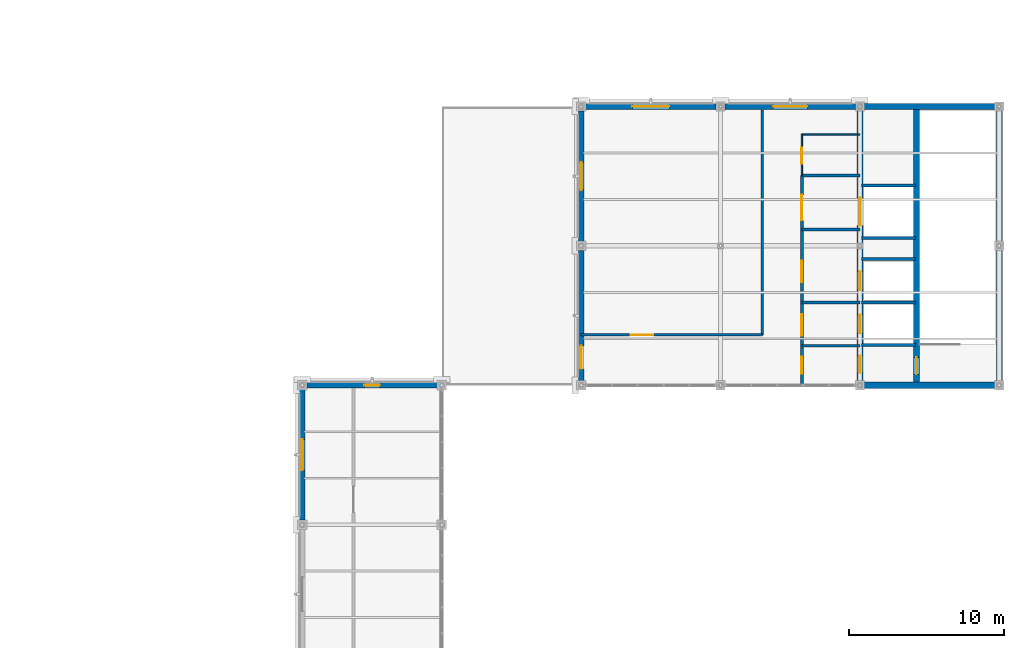
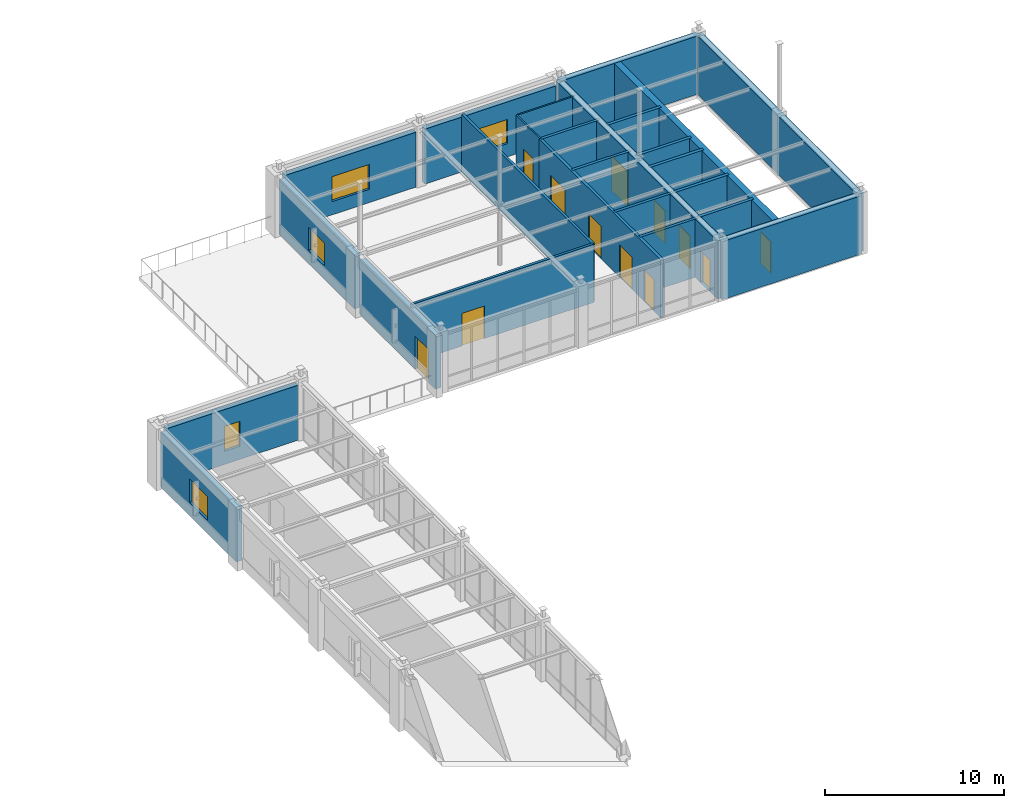
# One storey, part 85 of 97: 25 walls, 12 doors, 5 windows, 17 openings.
"""IFC4 building model written with IfcOpenShell, lengths in metres."""

import ifcopenshell
import ifcopenshell.guid

model = None  # the IFC model being written
_history = None  # IfcOwnerHistory: only IFC2X3 demands one
_inside = {}  # id of a spatial element -> (the spatial element, [elements in it])
_under = {}  # id of a project, library or spatial element -> (it, [spatial elements below it])
_declared = {}  # id of a project -> (the project, [libraries it declares])
_typed = {}  # id of a type object -> (the type object, [elements of that type])
_made_of = {}  # id of a material, layer set ... -> (it, [elements and type objects made of it])


def new_model(schema):
    """Start an empty IFC model of exactly this schema.

    Asked for "IFC4X3", IfcOpenShell would pick the latest addendum, in which some entities
    have other attributes; the version numbers below select the first issue.
    IFC2X3 requires an IfcOwnerHistory on every rooted entity: one is made here for all.
    """
    global model, _history
    if schema == "IFC4X3":
        model = ifcopenshell.file(schema_version=(4, 3, 0, 0))
    else:
        model = ifcopenshell.file(schema=schema)
    _inside.clear()
    _under.clear()
    _declared.clear()
    _typed.clear()
    _made_of.clear()
    _history = None
    if model.schema == "IFC2X3":
        org = make("IfcOrganization", Name="unknown")
        user = make(
            "IfcPersonAndOrganization",
            ThePerson=make("IfcPerson", FamilyName="unknown"),
            TheOrganization=org,
        )
        app = make(
            "IfcApplication",
            ApplicationDeveloper=org,
            Version="unknown",
            ApplicationFullName="unknown",
            ApplicationIdentifier="unknown",
        )
        _history = make(
            "IfcOwnerHistory",
            OwningUser=user,
            OwningApplication=app,
            ChangeAction="ADDED",
            CreationDate=0,
        )
    return model


def make(cls, **values):
    """One entity of the class cls with the attributes given. An attribute that is None is left unset."""
    return model.create_entity(
        cls, **{name: value for name, value in values.items() if value is not None}
    )


def rooted(cls, **values):
    """An entity with a GlobalId (a new one), such as an element, a storey or a relation."""
    return make(cls, GlobalId=ifcopenshell.guid.new(), OwnerHistory=_history, **values)


def si_unit(unit_type, name, prefix=None):
    """IfcSIUnit, for example si_unit("LENGTHUNIT", "METRE", prefix="MILLI")."""
    return make("IfcSIUnit", UnitType=unit_type, Prefix=prefix, Name=name)


def assignment(units):
    """IfcUnitAssignment: the units of a project."""
    return None if units is None else make("IfcUnitAssignment", Units=units)


def point(xyz):
    """IfcCartesianPoint."""
    return None if xyz is None else make("IfcCartesianPoint", Coordinates=xyz)


def direction(xyz):
    """IfcDirection."""
    return None if xyz is None else make("IfcDirection", DirectionRatios=xyz)


def frame(location, z_axis=None, x_axis=None):
    """IfcAxis2Placement3D, a coordinate frame: its origin and axes. An axis left out is left unset."""
    return make(
        "IfcAxis2Placement3D",
        Location=point(location),
        Axis=direction(z_axis),
        RefDirection=direction(x_axis),
    )


def frame_2d(location, x_axis=None):
    """IfcAxis2Placement2D, a coordinate frame in the plane: its origin and x axis."""
    return make(
        "IfcAxis2Placement2D", Location=point(location), RefDirection=direction(x_axis)
    )


def origin():
    """The frame at (0, 0, 0) with its axes left unset."""
    return frame((0.0, 0.0, 0.0))


def place(relative_to, where):
    """IfcLocalPlacement: puts the frame where relative to a parent placement (None: the world)."""
    return make(
        "IfcLocalPlacement", PlacementRelTo=relative_to, RelativePlacement=where
    )


def context(
    kind, dimensions, precision=None, world=None, true_north=None, identifier=None
):
    """IfcGeometricRepresentationContext, for example the 3D "Model" context."""
    return make(
        "IfcGeometricRepresentationContext",
        ContextIdentifier=identifier,
        ContextType=kind,
        CoordinateSpaceDimension=dimensions,
        Precision=precision,
        WorldCoordinateSystem=world,
        TrueNorth=true_north,
    )


def subcontext(parent, identifier, kind, view, scale=None):
    """IfcGeometricRepresentationSubContext, for example "Body" below "Model"."""
    return make(
        "IfcGeometricRepresentationSubContext",
        ContextIdentifier=identifier,
        ContextType=kind,
        ParentContext=parent,
        TargetScale=scale,
        TargetView=view,
    )


def project(units=None, contexts=None):
    """IfcProject with its units and contexts."""
    return rooted(
        "IfcProject",
        Name="project",
        RepresentationContexts=contexts,
        UnitsInContext=assignment(units),
    )


def spatial(cls, under=None, at=None, **own):
    """A site, building, storey or space (cls), placed at a placement, below another one or the project."""
    s = rooted(cls, ObjectPlacement=at, **own)
    if under is not None:
        _under.setdefault(under.id(), (under, []))[1].append(s)
    return s


def profile(cls, at=None, kind="AREA", **sizes):
    """A parametric profile (cls). Its sizes go by their IFC names, for example OverallWidth=200.0."""
    return make(cls, ProfileType=kind, Position=at, **sizes)


def rectangle(**sizes):
    """IfcRectangleProfileDef."""
    return profile("IfcRectangleProfileDef", **sizes)


def extrude(swept, where, along, depth):
    """IfcExtrudedAreaSolid: the profile swept, set in the frame where, extruded along a direction by depth."""
    return make(
        "IfcExtrudedAreaSolid",
        SweptArea=swept,
        Position=where,
        ExtrudedDirection=direction(along),
        Depth=depth,
    )


def shape(context_of_items, identifier, shape_type, items):
    """IfcShapeRepresentation: the items that make up one representation, for example the "Body"."""
    return make(
        "IfcShapeRepresentation",
        ContextOfItems=context_of_items,
        RepresentationIdentifier=identifier,
        RepresentationType=shape_type,
        Items=items,
    )


def material(Name=None, Category=None):
    """IfcMaterial."""
    return make("IfcMaterial", Name=Name, Category=Category)


def layer(
    of_material, thickness, ventilated=None, Name=None, Category=None, Priority=None
):
    """IfcMaterialLayer: one layer of a wall or slab, of a material (None: an air gap)."""
    return make(
        "IfcMaterialLayer",
        Material=of_material,
        LayerThickness=thickness,
        IsVentilated=ventilated,
        Name=Name,
        Category=Category,
        Priority=Priority,
    )


def layer_set(layers, Name=None):
    """IfcMaterialLayerSet."""
    return make("IfcMaterialLayerSet", MaterialLayers=layers, LayerSetName=Name)


def made_of(thing, what):
    """Note that an element or type object is made of a material, layer set ...; save() writes the relation."""
    if what is not None:
        _made_of.setdefault(what.id(), (what, []))[1].append(thing)
    return thing


def type_object(cls, material=None, **own):
    """A type object (cls), such as IfcWallType, which elements share."""
    return made_of(rooted(cls, **own), material)


def element(
    cls,
    number,
    at=None,
    inside=None,
    cuts=None,
    type_object=None,
    material=None,
    context=None,
    identifier="Body",
    shape_type=None,
    held_by="IfcProductDefinitionShape",
    body=None,
    shapes=None,
    **own,
):
    """One element of the class cls, such as IfcWall. Its Tag is "e" and its number.

    at: its placement. inside: the storey or other place that contains it. cuts: it is an
    opening in that element (IfcRelVoidsElement). A single representation is given by context,
    identifier, shape_type and body (its items); several are given by shapes. held_by: the class
    of the entity that holds the representations. save() writes the other relations.
    """
    e = rooted(cls, Tag="e%d" % number, ObjectPlacement=at, **own)
    if body is not None:
        shapes = [shape(context, identifier, shape_type, body)]
    if shapes is not None:
        e.Representation = make(held_by, Representations=shapes)
    if inside is not None:
        _inside.setdefault(inside.id(), (inside, []))[1].append(e)
    if cuts is not None:
        rooted(
            "IfcRelVoidsElement", RelatingBuildingElement=cuts, RelatedOpeningElement=e
        )
    if type_object is not None:
        _typed.setdefault(type_object.id(), (type_object, []))[1].append(e)
    return made_of(e, material)


def fill(opening, filler):
    """IfcRelFillsElement: the door or window that sits in an opening."""
    return rooted(
        "IfcRelFillsElement",
        RelatingOpeningElement=opening,
        RelatedBuildingElement=filler,
    )


def aggregate(whole, parts):
    """IfcRelAggregates: a whole, such as a stair, and the parts it consists of."""
    return rooted("IfcRelAggregates", RelatingObject=whole, RelatedObjects=parts)


def save(model, path):
    """Write the relations noted so far, then the file.

    IfcRelAggregates (storeys below a building ...), IfcRelContainedInSpatialStructure (elements
    in a storey), IfcRelDefinesByType, IfcRelAssociatesMaterial and IfcRelDeclares: one each for
    every whole, place, type object, material and project.
    """
    for whole, parts in _under.values():
        aggregate(whole, parts)
    for where, things in _inside.values():
        rooted(
            "IfcRelContainedInSpatialStructure",
            RelatedElements=things,
            RelatingStructure=where,
        )
    for kind, things in _typed.values():
        rooted("IfcRelDefinesByType", RelatedObjects=things, RelatingType=kind)
    for what, things in _made_of.values():
        rooted("IfcRelAssociatesMaterial", RelatedObjects=things, RelatingMaterial=what)
    for by, libraries in _declared.values():
        rooted("IfcRelDeclares", RelatingContext=by, RelatedDefinitions=libraries)
    model.write(path)


model = new_model("IFC4")

# Units and contexts
model_context = context("Model", 3, precision=1e-05, world=origin(), true_north=direction((0.0, 1.0)))
body_context = subcontext(model_context, "Body", "Model", "MODEL_VIEW")
ifc_project = project(units=[si_unit("LENGTHUNIT", "METRE"), si_unit("AREAUNIT", "SQUARE_METRE"), si_unit("VOLUMEUNIT", "CUBIC_METRE"), si_unit("PLANEANGLEUNIT", "RADIAN"), si_unit("MASSUNIT", "GRAM", prefix="KILO")], contexts=[model_context])

# Site, building, storey
site_placement = place(None, origin())
site = spatial("IfcSite", under=ifc_project, at=site_placement, CompositionType="ELEMENT")
building_placement = place(site_placement, origin())
building = spatial("IfcBuilding", under=site, at=building_placement, Name="Lykobir Media Centre", CompositionType="ELEMENT")
storey_placement = place(building_placement, frame((0.0, 0.0, 23.39990234375)))
storey = spatial("IfcBuildingStorey", under=building, at=storey_placement, Name="L05", CompositionType="ELEMENT", Elevation=23.39990234375)

# Wall, opening, window
ifc_material_1 = material(Name="Architectural Ochre Brick", Category="masonry")
ifc_layer_1 = layer(ifc_material_1, 0.360107421875, Name="Architectural Ochre Brick")
ifc_layer_set_1 = layer_set([ifc_layer_1], Name="Architectural Ochre Brick")
wall_type_1 = type_object("IfcWallType", Name="EW-BRK-360", PredefinedType="STANDARD", material=ifc_layer_set_1)
wall_1_placement = place(storey_placement, frame((98.715087890625, 72.0, 0.0), z_axis=(0.0, 0.0, 1.0), x_axis=(-1.0, 0.0, 0.0)))
wall_1 = element("IfcWall", 1, at=wall_1_placement, inside=storey, type_object=wall_type_1, Name="Exterior wall WALL-L05-0312", PredefinedType="STANDARD", context=body_context, shape_type="SweptSolid", body=[
    extrude(rectangle(XDim=8.43017578125, YDim=0.360107421875, at=frame_2d((4.215087890625, 0.0))), origin(), (0.0, 0.0, 1.0), 3.735107421875),
])
opening_1_placement = place(wall_1_placement, frame((3.715087890625, 0.0, 0.89990234375)))
opening_1 = element("IfcOpeningElement", 2, at=opening_1_placement, cuts=wall_1, Name="Opening WN-1000x1700", PredefinedType="OPENING", context=body_context, shape_type="SweptSolid", body=[
    extrude(rectangle(XDim=1.0, YDim=1.699951171875, at=frame_2d((0.5, 0.85009765625))), frame((0.0, 0.18994140625, 0.0), z_axis=(0.0, -1.0, 0.0), x_axis=(1.0, 0.0, 0.0)), (0.0, 0.0, 1.0), 0.380126953125),
])
ifc_material_2 = material(Name="Low-E Laminated Triple Glazing", Category="glass")
window_type_1 = type_object("IfcWindowType", Name="WN-1000x1700", PartitioningType="SINGLE_PANEL", PredefinedType="WINDOW", material=ifc_material_2)
window_1_placement = place(opening_1_placement, origin())
window_1 = element("IfcWindow", 3, at=window_1_placement, inside=storey, type_object=window_type_1, Name="Window WIN-L05-0125", OverallHeight=1.699951171875, OverallWidth=1.0, PartitioningType="SINGLE_PANEL", PredefinedType="WINDOW", context=body_context, shape_type="SweptSolid", body=[
    extrude(rectangle(XDim=1.0, YDim=1.699951171875, at=frame_2d((0.5, 0.85009765625))), frame((0.0, 0.030029296875, 0.0), z_axis=(0.0, -1.0, 0.0), x_axis=(1.0, 0.0, 0.0)), (0.0, 0.0, 1.0), 0.06005859375),
])
fill(opening_1, window_1)

wall_2_placement = place(storey_placement, frame((90.0, 71.715087890625, 0.0), z_axis=(0.0, 0.0, 1.0), x_axis=(0.0, -1.0, 0.0)))
wall_2 = element("IfcWall", 4, at=wall_2_placement, inside=storey, type_object=wall_type_1, Name="Exterior wall WALL-L05-0318", PredefinedType="STANDARD", context=body_context, shape_type="SweptSolid", body=[
    extrude(rectangle(XDim=8.43017578125, YDim=0.360107421875, at=frame_2d((4.215087890625, 0.0))), origin(), (0.0, 0.0, 1.0), 3.735107421875),
])
opening_2_placement = place(wall_2_placement, frame((3.215087890625, 0.0, 0.89990234375)))
opening_2 = element("IfcOpeningElement", 5, at=opening_2_placement, cuts=wall_2, Name="Opening WN-2000x1600", PredefinedType="OPENING", context=body_context, shape_type="SweptSolid", body=[
    extrude(rectangle(XDim=2.0, YDim=1.60009765625, at=frame_2d((1.0, 0.800048828125))), frame((0.0, 0.18994140625, 0.0), z_axis=(0.0, -1.0, 0.0), x_axis=(1.0, 0.0, 0.0)), (0.0, 0.0, 1.0), 0.380126953125),
])
window_type_2 = type_object("IfcWindowType", Name="WN-2000x1600", PartitioningType="SINGLE_PANEL", PredefinedType="WINDOW", material=ifc_material_2)
window_2_placement = place(opening_2_placement, origin())
window_2 = element("IfcWindow", 6, at=window_2_placement, inside=storey, type_object=window_type_2, Name="Window WIN-L05-0131", OverallHeight=1.60009765625, OverallWidth=2.0, PartitioningType="SINGLE_PANEL", PredefinedType="WINDOW", context=body_context, shape_type="SweptSolid", body=[
    extrude(rectangle(XDim=2.0, YDim=1.60009765625, at=frame_2d((1.0, 0.800048828125))), frame((0.0, 0.030029296875, 0.0), z_axis=(0.0, -1.0, 0.0), x_axis=(1.0, 0.0, 0.0)), (0.0, 0.0, 1.0), 0.06005859375),
])
fill(opening_2, window_2)

wall_3_placement = place(storey_placement, frame((116.715087890625, 90.0, 0.0), z_axis=(0.0, 0.0, 1.0), x_axis=(-1.0, 0.0, 0.0)))
wall_3 = element("IfcWall", 7, at=wall_3_placement, inside=storey, type_object=wall_type_1, Name="Exterior wall WALL-L05-0346", PredefinedType="STANDARD", context=body_context, shape_type="SweptSolid", body=[
    extrude(rectangle(XDim=8.43017578125, YDim=0.360107421875, at=frame_2d((4.215087890625, 0.0))), origin(), (0.0, 0.0, 1.0), 3.735107421875),
])
opening_3_placement = place(wall_3_placement, frame((3.014892578125, 0.0, 0.89990234375)))
opening_3 = element("IfcOpeningElement", 8, at=opening_3_placement, cuts=wall_3, Name="Opening WN-2400x1700", PredefinedType="OPENING", context=body_context, shape_type="SweptSolid", body=[
    extrude(rectangle(XDim=2.39990234375, YDim=1.699951171875, at=frame_2d((1.199951171875, 0.85009765625))), frame((0.0, 0.18994140625, 0.0), z_axis=(0.0, -1.0, 0.0), x_axis=(1.0, 0.0, 0.0)), (0.0, 0.0, 1.0), 0.380126953125),
])
window_type_3 = type_object("IfcWindowType", Name="WN-2400x1700", PartitioningType="SINGLE_PANEL", PredefinedType="WINDOW", material=ifc_material_2)
window_3_placement = place(opening_3_placement, origin())
window_3 = element("IfcWindow", 9, at=window_3_placement, inside=storey, type_object=window_type_3, Name="Window WIN-L05-0153", OverallHeight=1.699951171875, OverallWidth=2.39990234375, PartitioningType="SINGLE_PANEL", PredefinedType="WINDOW", context=body_context, shape_type="SweptSolid", body=[
    extrude(rectangle(XDim=2.39990234375, YDim=1.699951171875, at=frame_2d((1.199951171875, 0.85009765625))), frame((0.0, 0.030029296875, 0.0), z_axis=(0.0, -1.0, 0.0), x_axis=(1.0, 0.0, 0.0)), (0.0, 0.0, 1.0), 0.06005859375),
])
fill(opening_3, window_3)

wall_4_placement = place(storey_placement, frame((125.715087890625, 90.0, 0.0), z_axis=(0.0, 0.0, 1.0), x_axis=(-1.0, 0.0, 0.0)))
wall_4 = element("IfcWall", 10, at=wall_4_placement, inside=storey, type_object=wall_type_1, Name="Exterior wall WALL-L05-0347", PredefinedType="STANDARD", context=body_context, shape_type="SweptSolid", body=[
    extrude(rectangle(XDim=8.43017578125, YDim=0.360107421875, at=frame_2d((4.215087890625, 0.0))), origin(), (0.0, 0.0, 1.0), 3.735107421875),
])
opening_4_placement = place(wall_4_placement, frame((3.114990234375, 0.0, 0.89990234375)))
opening_4 = element("IfcOpeningElement", 11, at=opening_4_placement, cuts=wall_4, Name="Opening WN-2200x1650", PredefinedType="OPENING", context=body_context, shape_type="SweptSolid", body=[
    extrude(rectangle(XDim=2.199951171875, YDim=1.64990234375, at=frame_2d((1.10009765625, 0.824951171875))), frame((0.0, 0.18994140625, 0.0), z_axis=(0.0, -1.0, 0.0), x_axis=(1.0, 0.0, 0.0)), (0.0, 0.0, 1.0), 0.380126953125),
])
window_type_4 = type_object("IfcWindowType", Name="WN-2200x1650", PartitioningType="SINGLE_PANEL", PredefinedType="WINDOW", material=ifc_material_2)
window_4_placement = place(opening_4_placement, origin())
window_4 = element("IfcWindow", 12, at=window_4_placement, inside=storey, type_object=window_type_4, Name="Window WIN-L05-0154", OverallHeight=1.64990234375, OverallWidth=2.199951171875, PartitioningType="SINGLE_PANEL", PredefinedType="WINDOW", context=body_context, shape_type="SweptSolid", body=[
    extrude(rectangle(XDim=2.199951171875, YDim=1.64990234375, at=frame_2d((1.10009765625, 0.824951171875))), frame((0.0, 0.030029296875, 0.0), z_axis=(0.0, -1.0, 0.0), x_axis=(1.0, 0.0, 0.0)), (0.0, 0.0, 1.0), 0.06005859375),
])
fill(opening_4, window_4)

# Wall, opening, door
wall_5_placement = place(storey_placement, frame((108.0, 80.715087890625, 0.0), z_axis=(0.0, 0.0, 1.0), x_axis=(0.0, -1.0, 0.0)))
wall_5 = element("IfcWall", 13, at=wall_5_placement, inside=storey, type_object=wall_type_1, Name="Exterior wall WALL-L05-0348", PredefinedType="STANDARD", context=body_context, shape_type="SweptSolid", body=[
    extrude(rectangle(XDim=8.43017578125, YDim=0.360107421875, at=frame_2d((4.215087890625, 0.0))), origin(), (0.0, 0.0, 1.0), 3.695068359375),
])
opening_5_placement = place(wall_5_placement, frame((6.1650390625, 0.0, 0.0)))
opening_5 = element("IfcOpeningElement", 14, at=opening_5_placement, cuts=wall_5, Name="Opening D-L05-TER3", PredefinedType="OPENING", context=body_context, shape_type="SweptSolid", body=[
    extrude(rectangle(XDim=1.5, YDim=2.25, at=frame_2d((0.75, 1.125))), frame((0.0, 0.18994140625, 0.0), z_axis=(0.0, -1.0, 0.0), x_axis=(1.0, 0.0, 0.0)), (0.0, 0.0, 1.0), 0.380126953125),
])
ifc_material_3 = material(Name="Anodized Aluminium AW-6060", Category="aluminium")
door_type_1 = type_object("IfcDoorType", Name="ED-1500x2250", OperationType="NOTDEFINED", PredefinedType="DOOR", material=ifc_material_3)
door_1_placement = place(opening_5_placement, frame((1.5, 0.0, 0.0), z_axis=(0.0, 0.0, 1.0), x_axis=(-1.0, 0.0, 0.0)))
door_1 = element("IfcDoor", 15, at=door_1_placement, inside=storey, type_object=door_type_1, Name="East corridor to cloister roof garden door", OperationType="DOUBLE_DOOR_SINGLE_SWING", OverallHeight=2.25, OverallWidth=1.5, PredefinedType="DOOR", context=body_context, shape_type="SweptSolid", body=[
    extrude(rectangle(XDim=1.5, YDim=2.25, at=frame_2d((0.75, 1.125))), frame((0.0, 0.02490234375, 0.0), z_axis=(0.0, -1.0, 0.0), x_axis=(1.0, 0.0, 0.0)), (0.0, 0.0, 1.0), 0.050048828125),
])
fill(opening_5, door_1)

# Wall, opening, window
wall_6_placement = place(storey_placement, frame((108.0, 89.715087890625, 0.0), z_axis=(0.0, 0.0, 1.0), x_axis=(0.0, -1.0, 0.0)))
wall_6 = element("IfcWall", 16, at=wall_6_placement, inside=storey, type_object=wall_type_1, Name="Exterior wall WALL-L05-0349", PredefinedType="STANDARD", context=body_context, shape_type="SweptSolid", body=[
    extrude(rectangle(XDim=8.43017578125, YDim=0.360107421875, at=frame_2d((4.215087890625, 0.0))), origin(), (0.0, 0.0, 1.0), 3.695068359375),
])
opening_6_placement = place(wall_6_placement, frame((3.31494140625, 0.0, 0.89990234375)))
opening_6 = element("IfcOpeningElement", 17, at=opening_6_placement, cuts=wall_6, Name="Opening WN-1800x1550", PredefinedType="OPENING", context=body_context, shape_type="SweptSolid", body=[
    extrude(rectangle(XDim=1.800048828125, YDim=1.550048828125, at=frame_2d((0.89990234375, 0.77490234375))), frame((0.0, 0.18994140625, 0.0), z_axis=(0.0, -1.0, 0.0), x_axis=(1.0, 0.0, 0.0)), (0.0, 0.0, 1.0), 0.380126953125),
])
window_type_5 = type_object("IfcWindowType", Name="WN-1800x1550", PartitioningType="SINGLE_PANEL", PredefinedType="WINDOW", material=ifc_material_2)
window_5_placement = place(opening_6_placement, origin())
window_5 = element("IfcWindow", 18, at=window_5_placement, inside=storey, type_object=window_type_5, Name="Window WIN-L05-0155", OverallHeight=1.550048828125, OverallWidth=1.800048828125, PartitioningType="SINGLE_PANEL", PredefinedType="WINDOW", context=body_context, shape_type="SweptSolid", body=[
    extrude(rectangle(XDim=1.800048828125, YDim=1.550048828125, at=frame_2d((0.89990234375, 0.77490234375))), frame((0.0, 0.030029296875, 0.0), z_axis=(0.0, -1.0, 0.0), x_axis=(1.0, 0.0, 0.0)), (0.0, 0.0, 1.0), 0.06005859375),
])
fill(opening_6, window_5)

# Wall, opening, door
ifc_material_4 = material(Name="Acoustic Gypsum Board", Category="gypsum")
ifc_layer_2 = layer(ifc_material_4, 0.159912109375, Name="Acoustic Gypsum Board")
ifc_layer_set_2 = layer_set([ifc_layer_2], Name="Acoustic Gypsum Board")
wall_type_2 = type_object("IfcWallType", Name="IW-COR-160", PredefinedType="PARTITIONING", material=ifc_layer_set_2)
wall_7_placement = place(storey_placement, frame((108.0, 75.25, 0.0), z_axis=(0.0, 0.0, 1.0), x_axis=(1.0, 0.0, 0.0)))
wall_7 = element("IfcWall", 19, at=wall_7_placement, inside=storey, type_object=wall_type_2, Name="Wall IWALL-L05-0770", PredefinedType="PARTITIONING", context=body_context, shape_type="SweptSolid", body=[
    extrude(rectangle(XDim=11.699951171875, YDim=0.159912109375, at=frame_2d((5.85009765625, 0.0))), origin(), (0.0, 0.0, 1.0), 3.960205078125),
])
opening_7_placement = place(wall_7_placement, frame((3.199951171875, 0.0, 0.0)))
opening_7 = element("IfcOpeningElement", 20, at=opening_7_placement, cuts=wall_7, Name="Opening D-L05-ENB1", PredefinedType="OPENING", context=body_context, shape_type="SweptSolid", body=[
    extrude(rectangle(XDim=1.449951171875, YDim=2.219970703125, at=frame_2d((0.72509765625, 1.10986328125))), frame((0.0, 0.08984375, 0.0), z_axis=(0.0, -1.0, 0.0), x_axis=(1.0, 0.0, 0.0)), (0.0, 0.0, 1.0), 0.179931640625),
])
ifc_material_5 = material(Name="Acoustic Timber Panelling", Category="wood")
door_type_2 = type_object("IfcDoorType", Name="FD-1450x2220", OperationType="NOTDEFINED", PredefinedType="DOOR", material=ifc_material_5)
door_2_placement = place(opening_7_placement, origin())
door_2 = element("IfcDoor", 21, at=door_2_placement, inside=storey, type_object=door_type_2, Name="Door D-L05-ENB1", OperationType="DOUBLE_DOOR_SINGLE_SWING", OverallHeight=2.219970703125, OverallWidth=1.449951171875, PredefinedType="DOOR", context=body_context, shape_type="SweptSolid", body=[
    extrude(rectangle(XDim=1.449951171875, YDim=2.219970703125, at=frame_2d((0.72509765625, 1.10986328125))), frame((0.0, 0.02490234375, 0.0), z_axis=(0.0, -1.0, 0.0), x_axis=(1.0, 0.0, 0.0)), (0.0, 0.0, 1.0), 0.050048828125),
])
fill(opening_7, door_2)

# Wall
wall_8_placement = place(storey_placement, frame((119.699951171875, 75.25, 0.0), z_axis=(0.0, 0.0, 1.0), x_axis=(0.0, 1.0, 0.0)))
element("IfcWall", 22, at=wall_8_placement, inside=storey, type_object=wall_type_2, Name="Wall IWALL-L05-0771", PredefinedType="PARTITIONING", context=body_context, shape_type="SweptSolid", body=[
    extrude(rectangle(XDim=14.530029296875, YDim=0.159912109375, at=frame_2d((7.26513671875, 0.0))), origin(), (0.0, 0.0, 1.0), 3.960205078125),
])

# Wall, openings, doors
ifc_layer_3 = layer(ifc_material_4, 0.179931640625, Name="Acoustic Gypsum Board")
ifc_layer_set_3 = layer_set([ifc_layer_3], Name="Acoustic Gypsum Board")
wall_type_3 = type_object("IfcWallType", Name="IW-FFLOB-180", PredefinedType="PARTITIONING", material=ifc_layer_set_3)
wall_9_placement = place(storey_placement, frame((122.25, 72.0, 0.0), z_axis=(0.0, 0.0, 1.0), x_axis=(0.0, 1.0, 0.0)))
wall_9 = element("IfcWall", 23, at=wall_9_placement, inside=storey, type_object=wall_type_3, Name="Wall IWALL-L05-0567", PredefinedType="PARTITIONING", context=body_context, shape_type="SweptSolid", body=[
    extrude(rectangle(XDim=13.550048828125, YDim=0.179931640625, at=frame_2d((6.77490234375, 0.0))), origin(), (0.0, 0.0, 1.0), 3.960205078125),
])
opening_8_placement = place(wall_9_placement, frame((0.75, 0.0, 0.0)))
opening_8 = element("IfcOpeningElement", 24, at=opening_8_placement, cuts=wall_9, Name="Opening D-L05-C4LV", PredefinedType="OPENING", context=body_context, shape_type="SweptSolid", body=[
    extrude(rectangle(XDim=1.10009765625, YDim=2.159912109375, at=frame_2d((0.550048828125, 1.080078125))), frame((0.0, 0.099853515625, 0.0), z_axis=(0.0, -1.0, 0.0), x_axis=(1.0, 0.0, 0.0)), (0.0, 0.0, 1.0), 0.199951171875),
])
opening_9_placement = place(wall_9_placement, frame((3.199951171875, 0.0, 0.0)))
opening_9 = element("IfcOpeningElement", 25, at=opening_9_placement, cuts=wall_9, Name="Opening D-L05-C4PL", PredefinedType="OPENING", context=body_context, shape_type="SweptSolid", body=[
    extrude(rectangle(XDim=1.39990234375, YDim=2.199951171875, at=frame_2d((0.699951171875, 1.10009765625))), frame((0.0, 0.099853515625, 0.0), z_axis=(0.0, -1.0, 0.0), x_axis=(1.0, 0.0, 0.0)), (0.0, 0.0, 1.0), 0.199951171875),
])
opening_10_placement = place(wall_9_placement, frame((6.64990234375, 0.0, 0.0)))
opening_10 = element("IfcOpeningElement", 26, at=opening_10_placement, cuts=wall_9, Name="Opening D-L05-C4FF", PredefinedType="OPENING", context=body_context, shape_type="SweptSolid", body=[
    extrude(rectangle(XDim=1.39990234375, YDim=2.199951171875, at=frame_2d((0.699951171875, 1.10009765625))), frame((0.0, 0.099853515625, 0.0), z_axis=(0.0, -1.0, 0.0), x_axis=(1.0, 0.0, 0.0)), (0.0, 0.0, 1.0), 0.199951171875),
])
opening_11_placement = place(wall_9_placement, frame((10.64990234375, 0.0, 0.0)))
opening_11 = element("IfcOpeningElement", 27, at=opening_11_placement, cuts=wall_9, Name="Opening D-L05-C4GL", PredefinedType="OPENING", context=body_context, shape_type="SweptSolid", body=[
    extrude(rectangle(XDim=1.64990234375, YDim=2.25, at=frame_2d((0.824951171875, 1.125))), frame((0.0, 0.099853515625, 0.0), z_axis=(0.0, -1.0, 0.0), x_axis=(1.0, 0.0, 0.0)), (0.0, 0.0, 1.0), 0.199951171875),
])
door_type_3 = type_object("IfcDoorType", Name="FD-1100x2160", OperationType="NOTDEFINED", PredefinedType="DOOR", material=ifc_material_5)
door_3_placement = place(opening_8_placement, origin())
door_3 = element("IfcDoor", 28, at=door_3_placement, inside=storey, type_object=door_type_3, Name="Door D-L05-C4LV", OperationType="SINGLE_SWING_LEFT", OverallHeight=2.159912109375, OverallWidth=1.10009765625, PredefinedType="DOOR", context=body_context, shape_type="SweptSolid", body=[
    extrude(rectangle(XDim=1.10009765625, YDim=2.159912109375, at=frame_2d((0.550048828125, 1.080078125))), frame((0.0, 0.02490234375, 0.0), z_axis=(0.0, -1.0, 0.0), x_axis=(1.0, 0.0, 0.0)), (0.0, 0.0, 1.0), 0.050048828125),
])
fill(opening_8, door_3)
door_type_4 = type_object("IfcDoorType", Name="FD-1400x2200", OperationType="NOTDEFINED", PredefinedType="DOOR", material=ifc_material_5)
door_4_placement = place(opening_9_placement, origin())
door_4 = element("IfcDoor", 29, at=door_4_placement, inside=storey, type_object=door_type_4, Name="Door D-L05-C4PL", OperationType="DOUBLE_DOOR_SINGLE_SWING", OverallHeight=2.199951171875, OverallWidth=1.39990234375, PredefinedType="DOOR", context=body_context, shape_type="SweptSolid", body=[
    extrude(rectangle(XDim=1.39990234375, YDim=2.199951171875, at=frame_2d((0.699951171875, 1.10009765625))), frame((0.0, 0.02490234375, 0.0), z_axis=(0.0, -1.0, 0.0), x_axis=(1.0, 0.0, 0.0)), (0.0, 0.0, 1.0), 0.050048828125),
])
fill(opening_9, door_4)
door_5_placement = place(opening_10_placement, origin())
door_5 = element("IfcDoor", 30, at=door_5_placement, inside=storey, type_object=door_type_4, Name="Door D-L05-C4FF", OperationType="DOUBLE_DOOR_SINGLE_SWING", OverallHeight=2.199951171875, OverallWidth=1.39990234375, PredefinedType="DOOR", context=body_context, shape_type="SweptSolid", body=[
    extrude(rectangle(XDim=1.39990234375, YDim=2.199951171875, at=frame_2d((0.699951171875, 1.10009765625))), frame((0.0, 0.02490234375, 0.0), z_axis=(0.0, -1.0, 0.0), x_axis=(1.0, 0.0, 0.0)), (0.0, 0.0, 1.0), 0.050048828125),
])
fill(opening_10, door_5)
door_type_5 = type_object("IfcDoorType", Name="FD-1650x2250", OperationType="NOTDEFINED", PredefinedType="DOOR", material=ifc_material_5)
door_6_placement = place(opening_11_placement, origin())
door_6 = element("IfcDoor", 31, at=door_6_placement, inside=storey, type_object=door_type_5, Name="Door D-L05-C4GL", OperationType="DOUBLE_DOOR_SINGLE_SWING", OverallHeight=2.25, OverallWidth=1.64990234375, PredefinedType="DOOR", context=body_context, shape_type="SweptSolid", body=[
    extrude(rectangle(XDim=1.64990234375, YDim=2.25, at=frame_2d((0.824951171875, 1.125))), frame((0.0, 0.02490234375, 0.0), z_axis=(0.0, -1.0, 0.0), x_axis=(1.0, 0.0, 0.0)), (0.0, 0.0, 1.0), 0.050048828125),
])
fill(opening_11, door_6)

# Walls
for number, where, z_axis, x_axis, name in (
    (32, (122.25, 74.550048828125, 0.0), (0.0, 0.0, 1.0), (1.0, 0.0, 0.0), "Wall IWALL-L05-0568"),
    (33, (122.25, 77.35009765625, 0.0), (0.0, 0.0, 1.0), (1.0, 0.0, 0.0), "Wall IWALL-L05-0569"),
    (34, (122.25, 82.050048828125, 0.0), (0.0, 0.0, 1.0), (1.0, 0.0, 0.0), "Wall IWALL-L05-0570"),
    (35, (122.25, 85.550048828125, 0.0), (0.0, 0.0, 1.0), (1.0, 0.0, 0.0), "Wall IWALL-L05-0571"),
):
    element("IfcWall", number, at=place(storey_placement, frame(where, z_axis=z_axis, x_axis=x_axis)), inside=storey, type_object=wall_type_3, Name=name, PredefinedType="PARTITIONING", context=body_context, shape_type="SweptSolid", body=[
        extrude(rectangle(XDim=3.75, YDim=0.179931640625, at=frame_2d((1.875, 0.0))), origin(), (0.0, 0.0, 1.0), 3.960205078125),
    ])
ifc_material_6 = material(Name="Concrete C30/37", Category="concrete")
ifc_layer_4 = layer(ifc_material_6, 0.199951171875, Name="Concrete C30/37")
ifc_layer_set_4 = layer_set([ifc_layer_4], Name="Concrete C30/37")
wall_type_4 = type_object("IfcWallType", Name="IW-SHAFT-200", PredefinedType="PARTITIONING", material=ifc_layer_set_4)
for number, where, z_axis, x_axis, name in (
    (36, (126.10009765625, 74.60009765625, 0.0), (0.0, 0.0, 1.0), (1.0, 0.0, 0.0), "Wall IWALL-L05-0562"),
    (37, (126.10009765625, 77.35009765625, 0.0), (0.0, 0.0, 1.0), (1.0, 0.0, 0.0), "Wall IWALL-L05-0563"),
    (38, (126.10009765625, 80.14990234375, 0.0), (0.0, 0.0, 1.0), (1.0, 0.0, 0.0), "Wall IWALL-L05-0564"),
    (39, (126.10009765625, 81.5, 0.0), (0.0, 0.0, 1.0), (1.0, 0.0, 0.0), "Wall IWALL-L05-0565"),
    (40, (126.10009765625, 84.89990234375, 0.0), (0.0, 0.0, 1.0), (1.0, 0.0, 0.0), "Wall IWALL-L05-0566"),
):
    element("IfcWall", number, at=place(storey_placement, frame(where, z_axis=z_axis, x_axis=x_axis)), inside=storey, type_object=wall_type_4, Name=name, PredefinedType="PARTITIONING", context=body_context, shape_type="SweptSolid", body=[
        extrude(rectangle(XDim=3.5, YDim=0.199951171875, at=frame_2d((1.75, 0.0))), origin(), (0.0, 0.0, 1.0), 3.960205078125),
    ])

# Wall, opening, door
ifc_layer_5 = layer(ifc_material_4, 0.094970703125, Name="Acoustic Gypsum Board")
ifc_layer_set_5 = layer_set([ifc_layer_5], Name="Acoustic Gypsum Board")
wall_type_5 = type_object("IfcWallType", Name="IW-WC-095", PredefinedType="PARTITIONING", material=ifc_layer_set_5)
wall_10_placement = place(storey_placement, frame((122.25, 85.550048828125, 0.0), z_axis=(0.0, 0.0, 1.0), x_axis=(0.0, 1.0, 0.0)))
wall_10 = element("IfcWall", 41, at=wall_10_placement, inside=storey, type_object=wall_type_5, Name="Wall IWALL-L05-0572", PredefinedType="PARTITIONING", context=body_context, shape_type="SweptSolid", body=[
    extrude(rectangle(XDim=2.64990234375, YDim=0.094970703125, at=frame_2d((1.324951171875, 0.0))), origin(), (0.0, 0.0, 1.0), 3.960205078125),
])
opening_12_placement = place(wall_10_placement, frame((0.75, 0.0, 0.0)))
opening_12 = element("IfcOpeningElement", 42, at=opening_12_placement, cuts=wall_10, Name="Opening D-L05-WCA4", PredefinedType="OPENING", context=body_context, shape_type="SweptSolid", body=[
    extrude(rectangle(XDim=1.050048828125, YDim=2.1298828125, at=frame_2d((0.52490234375, 1.06494140625))), frame((0.0, 0.057373046875, 0.0), z_axis=(0.0, -1.0, 0.0), x_axis=(1.0, 0.0, 0.0)), (0.0, 0.0, 1.0), 0.114990234375),
])
door_type_6 = type_object("IfcDoorType", Name="ID-1050x2130", OperationType="NOTDEFINED", PredefinedType="DOOR", material=ifc_material_5)
door_7_placement = place(opening_12_placement, origin())
door_7 = element("IfcDoor", 43, at=door_7_placement, inside=storey, type_object=door_type_6, Name="Door D-L05-WCA4", OperationType="SINGLE_SWING_RIGHT", OverallHeight=2.1298828125, OverallWidth=1.050048828125, PredefinedType="DOOR", context=body_context, shape_type="SweptSolid", body=[
    extrude(rectangle(XDim=1.050048828125, YDim=2.1298828125, at=frame_2d((0.52490234375, 1.06494140625))), frame((0.0, 0.02490234375, 0.0), z_axis=(0.0, -1.0, 0.0), x_axis=(1.0, 0.0, 0.0)), (0.0, 0.0, 1.0), 0.050048828125),
])
fill(opening_12, door_7)

# Wall
wall_11_placement = place(storey_placement, frame((122.25, 88.199951171875, 0.0), z_axis=(0.0, 0.0, 1.0), x_axis=(1.0, 0.0, 0.0)))
element("IfcWall", 44, at=wall_11_placement, inside=storey, type_object=wall_type_5, Name="Wall IWALL-L05-0573", PredefinedType="PARTITIONING", context=body_context, shape_type="SweptSolid", body=[
    extrude(rectangle(XDim=3.75, YDim=0.094970703125, at=frame_2d((1.875, 0.0))), origin(), (0.0, 0.0, 1.0), 3.960205078125),
])

# Wall, openings, doors
ifc_material_7 = material(Name="Concrete C40/50", Category="concrete")
ifc_layer_6 = layer(ifc_material_7, 0.39990234375, Name="Concrete C40/50")
ifc_layer_set_6 = layer_set([ifc_layer_6], Name="Concrete C40/50")
wall_type_6 = type_object("IfcWallType", Name="SW-CORE-400", PredefinedType="SHEAR", material=ifc_layer_set_6)
wall_12_placement = place(storey_placement, frame((126.0, 90.0, 0.0), z_axis=(0.0, 0.0, 1.0), x_axis=(0.0, -1.0, 0.0)))
wall_12 = element("IfcWall", 45, at=wall_12_placement, inside=storey, type_object=wall_type_6, Name="Wall IWALL-L05-0560", PredefinedType="SHEAR", context=body_context, shape_type="SweptSolid", body=[
    extrude(rectangle(XDim=18.0, YDim=0.39990234375, at=frame_2d((9.0, 0.0))), origin(), (0.0, 0.0, 1.0), 3.960205078125),
])
opening_13_placement = place(wall_12_placement, frame((16.10009765625, 0.0, 0.0)))
opening_13 = element("IfcOpeningElement", 46, at=opening_13_placement, cuts=wall_12, Name="Opening D-L05-C4VB", PredefinedType="OPENING", context=body_context, shape_type="SweptSolid", body=[
    extrude(rectangle(XDim=1.10009765625, YDim=2.159912109375, at=frame_2d((0.550048828125, 1.080078125))), frame((0.0, 0.2099609375, 0.0), z_axis=(0.0, -1.0, 0.0), x_axis=(1.0, 0.0, 0.0)), (0.0, 0.0, 1.0), 0.419921875),
])
opening_14_placement = place(wall_12_placement, frame((13.449951171875, 0.0, 0.0)))
opening_14 = element("IfcOpeningElement", 47, at=opening_14_placement, cuts=wall_12, Name="Opening LD-L05-PL-4", PredefinedType="OPENING", context=body_context, shape_type="SweptSolid", body=[
    extrude(rectangle(XDim=1.199951171875, YDim=2.199951171875, at=frame_2d((0.60009765625, 1.10009765625))), frame((0.0, 0.2099609375, 0.0), z_axis=(0.0, -1.0, 0.0), x_axis=(1.0, 0.0, 0.0)), (0.0, 0.0, 1.0), 0.419921875),
])
opening_15_placement = place(wall_12_placement, frame((10.64990234375, 0.0, 0.0)))
opening_15 = element("IfcOpeningElement", 48, at=opening_15_placement, cuts=wall_12, Name="Opening LD-L05-FL-3", PredefinedType="OPENING", context=body_context, shape_type="SweptSolid", body=[
    extrude(rectangle(XDim=1.199951171875, YDim=2.199951171875, at=frame_2d((0.60009765625, 1.10009765625))), frame((0.0, 0.2099609375, 0.0), z_axis=(0.0, -1.0, 0.0), x_axis=(1.0, 0.0, 0.0)), (0.0, 0.0, 1.0), 0.419921875),
])
opening_16_placement = place(wall_12_placement, frame((5.89990234375, 0.0, 0.0)))
opening_16 = element("IfcOpeningElement", 49, at=opening_16_placement, cuts=wall_12, Name="Opening LD-L05-GL-1", PredefinedType="OPENING", context=body_context, shape_type="SweptSolid", body=[
    extrude(rectangle(XDim=1.800048828125, YDim=2.35009765625, at=frame_2d((0.89990234375, 1.175048828125))), frame((0.0, 0.2099609375, 0.0), z_axis=(0.0, -1.0, 0.0), x_axis=(1.0, 0.0, 0.0)), (0.0, 0.0, 1.0), 0.419921875),
])
door_8_placement = place(opening_13_placement, origin())
door_8 = element("IfcDoor", 50, at=door_8_placement, inside=storey, type_object=door_type_3, Name="Door D-L05-C4VB", OperationType="SINGLE_SWING_RIGHT", OverallHeight=2.159912109375, OverallWidth=1.10009765625, PredefinedType="DOOR", context=body_context, shape_type="SweptSolid", body=[
    extrude(rectangle(XDim=1.10009765625, YDim=2.159912109375, at=frame_2d((0.550048828125, 1.080078125))), frame((0.0, 0.02490234375, 0.0), z_axis=(0.0, -1.0, 0.0), x_axis=(1.0, 0.0, 0.0)), (0.0, 0.0, 1.0), 0.050048828125),
])
fill(opening_13, door_8)
door_type_7 = type_object("IfcDoorType", Name="LD-1200x2200", OperationType="NOTDEFINED", PredefinedType="DOOR", material=ifc_material_3)
door_9_placement = place(opening_14_placement, origin())
door_9 = element("IfcDoor", 51, at=door_9_placement, inside=storey, type_object=door_type_7, Name="Lift landing door PL-4 L05", OperationType="SLIDING_TO_LEFT", OverallHeight=2.199951171875, OverallWidth=1.199951171875, PredefinedType="DOOR", context=body_context, shape_type="SweptSolid", body=[
    extrude(rectangle(XDim=1.199951171875, YDim=2.199951171875, at=frame_2d((0.60009765625, 1.10009765625))), frame((0.0, 0.02490234375, 0.0), z_axis=(0.0, -1.0, 0.0), x_axis=(1.0, 0.0, 0.0)), (0.0, 0.0, 1.0), 0.050048828125),
])
fill(opening_14, door_9)
door_10_placement = place(opening_15_placement, origin())
door_10 = element("IfcDoor", 52, at=door_10_placement, inside=storey, type_object=door_type_7, Name="Firefighting lift landing door FL-3 L05", OperationType="SLIDING_TO_LEFT", OverallHeight=2.199951171875, OverallWidth=1.199951171875, PredefinedType="DOOR", context=body_context, shape_type="SweptSolid", body=[
    extrude(rectangle(XDim=1.199951171875, YDim=2.199951171875, at=frame_2d((0.60009765625, 1.10009765625))), frame((0.0, 0.02490234375, 0.0), z_axis=(0.0, -1.0, 0.0), x_axis=(1.0, 0.0, 0.0)), (0.0, 0.0, 1.0), 0.050048828125),
])
fill(opening_15, door_10)
door_type_8 = type_object("IfcDoorType", Name="LD-1800x2350", OperationType="NOTDEFINED", PredefinedType="DOOR", material=ifc_material_3)
door_11_placement = place(opening_16_placement, origin())
door_11 = element("IfcDoor", 53, at=door_11_placement, inside=storey, type_object=door_type_8, Name="Goods lift landing door GL-1 L05", OperationType="DOUBLE_DOOR_SLIDING", OverallHeight=2.35009765625, OverallWidth=1.800048828125, PredefinedType="DOOR", context=body_context, shape_type="SweptSolid", body=[
    extrude(rectangle(XDim=1.800048828125, YDim=2.35009765625, at=frame_2d((0.89990234375, 1.175048828125))), frame((0.0, 0.02490234375, 0.0), z_axis=(0.0, -1.0, 0.0), x_axis=(1.0, 0.0, 0.0)), (0.0, 0.0, 1.0), 0.050048828125),
])
fill(opening_16, door_11)

# Wall, opening, door
wall_13_placement = place(storey_placement, frame((129.64990234375, 72.0, 0.0), z_axis=(0.0, 0.0, 1.0), x_axis=(0.0, 1.0, 0.0)))
wall_13 = element("IfcWall", 54, at=wall_13_placement, inside=storey, type_object=wall_type_6, Name="Wall IWALL-L05-0561", PredefinedType="SHEAR", context=body_context, shape_type="SweptSolid", body=[
    extrude(rectangle(XDim=18.0, YDim=0.39990234375, at=frame_2d((9.0, 0.0))), origin(), (0.0, 0.0, 1.0), 3.960205078125),
])
opening_17_placement = place(wall_13_placement, frame((0.699951171875, 0.0, 0.0)))
opening_17 = element("IfcOpeningElement", 55, at=opening_17_placement, cuts=wall_13, Name="Opening D-L05-C4ST", PredefinedType="OPENING", context=body_context, shape_type="SweptSolid", body=[
    extrude(rectangle(XDim=1.10009765625, YDim=2.159912109375, at=frame_2d((0.550048828125, 1.080078125))), frame((0.0, 0.2099609375, 0.0), z_axis=(0.0, -1.0, 0.0), x_axis=(1.0, 0.0, 0.0)), (0.0, 0.0, 1.0), 0.419921875),
])
door_12_placement = place(opening_17_placement, origin())
door_12 = element("IfcDoor", 56, at=door_12_placement, inside=storey, type_object=door_type_3, Name="L05 ST-4 stairwell fire door", OperationType="SINGLE_SWING_LEFT", OverallHeight=2.159912109375, OverallWidth=1.10009765625, PredefinedType="DOOR", context=body_context, shape_type="SweptSolid", body=[
    extrude(rectangle(XDim=1.10009765625, YDim=2.159912109375, at=frame_2d((0.550048828125, 1.080078125))), frame((0.0, 0.02490234375, 0.0), z_axis=(0.0, -1.0, 0.0), x_axis=(1.0, 0.0, 0.0)), (0.0, 0.0, 1.0), 0.050048828125),
])
fill(opening_17, door_12)

# Walls
ifc_layer_7 = layer(ifc_material_7, 0.39990234375, Name="Concrete C40/50")
ifc_layer_set_7 = layer_set([ifc_layer_7], Name="Concrete C40/50")
wall_type_7 = type_object("IfcWallType", Name="SW-CORE-400-E", PredefinedType="SHEAR", material=ifc_layer_set_7)
wall_14_placement = place(storey_placement, frame((126.0, 72.0, 0.0), z_axis=(0.0, 0.0, 1.0), x_axis=(1.0, 0.0, 0.0)))
element("IfcWall", 57, at=wall_14_placement, inside=storey, type_object=wall_type_7, Name="Wall IWALL-L05-0557", PredefinedType="SHEAR", context=body_context, shape_type="SweptSolid", body=[
    extrude(rectangle(XDim=9.0, YDim=0.39990234375, at=frame_2d((4.5, 0.0))), origin(), (0.0, 0.0, 1.0), 3.960205078125),
])
wall_15_placement = place(storey_placement, frame((135.0, 72.0, 0.0), z_axis=(0.0, 0.0, 1.0), x_axis=(0.0, 1.0, 0.0)))
element("IfcWall", 58, at=wall_15_placement, inside=storey, type_object=wall_type_7, Name="Wall IWALL-L05-0558", PredefinedType="SHEAR", context=body_context, shape_type="SweptSolid", body=[
    extrude(rectangle(XDim=18.0, YDim=0.39990234375, at=frame_2d((9.0, 0.0))), origin(), (0.0, 0.0, 1.0), 3.960205078125),
])
wall_16_placement = place(storey_placement, frame((135.0, 90.0, 0.0), z_axis=(0.0, 0.0, 1.0), x_axis=(-1.0, 0.0, 0.0)))
element("IfcWall", 59, at=wall_16_placement, inside=storey, type_object=wall_type_7, Name="Wall IWALL-L05-0559", PredefinedType="SHEAR", context=body_context, shape_type="SweptSolid", body=[
    extrude(rectangle(XDim=9.0, YDim=0.39990234375, at=frame_2d((4.5, 0.0))), origin(), (0.0, 0.0, 1.0), 3.960205078125),
])

save(model, "model.ifc")
